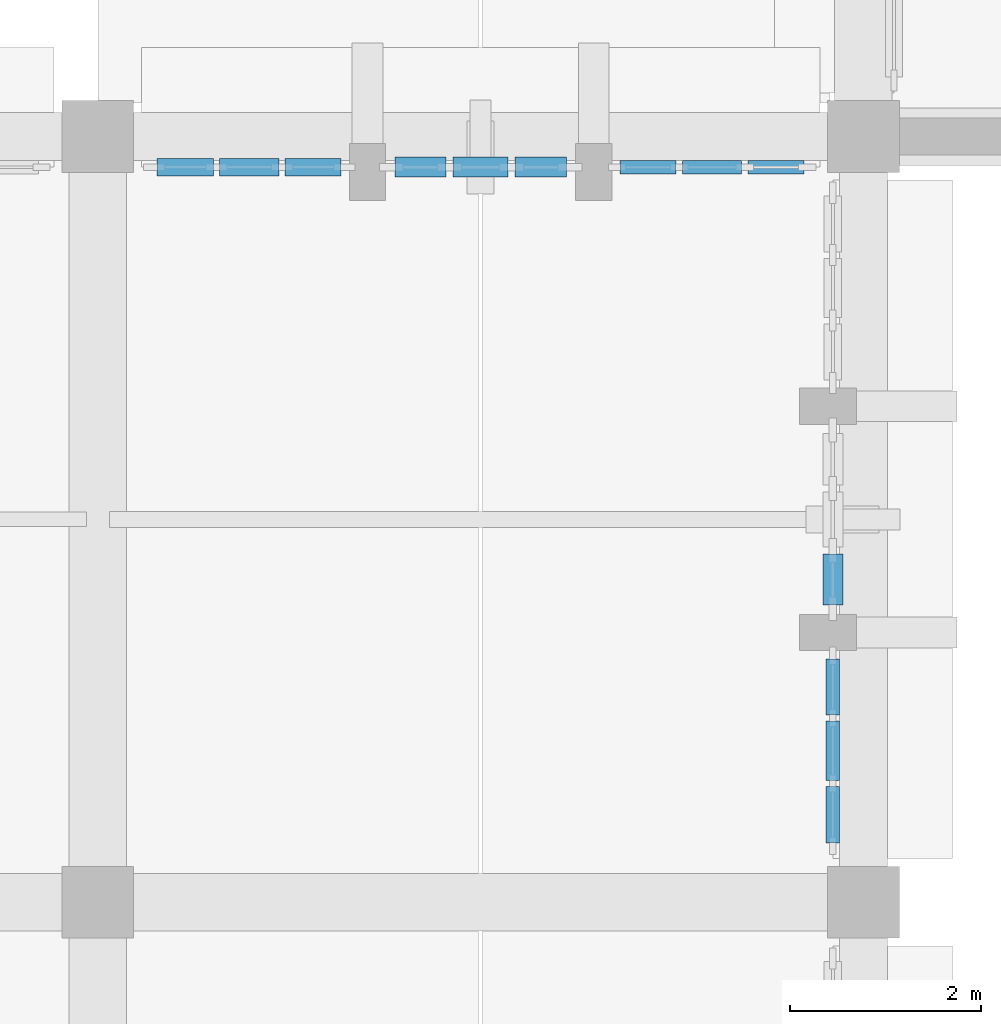
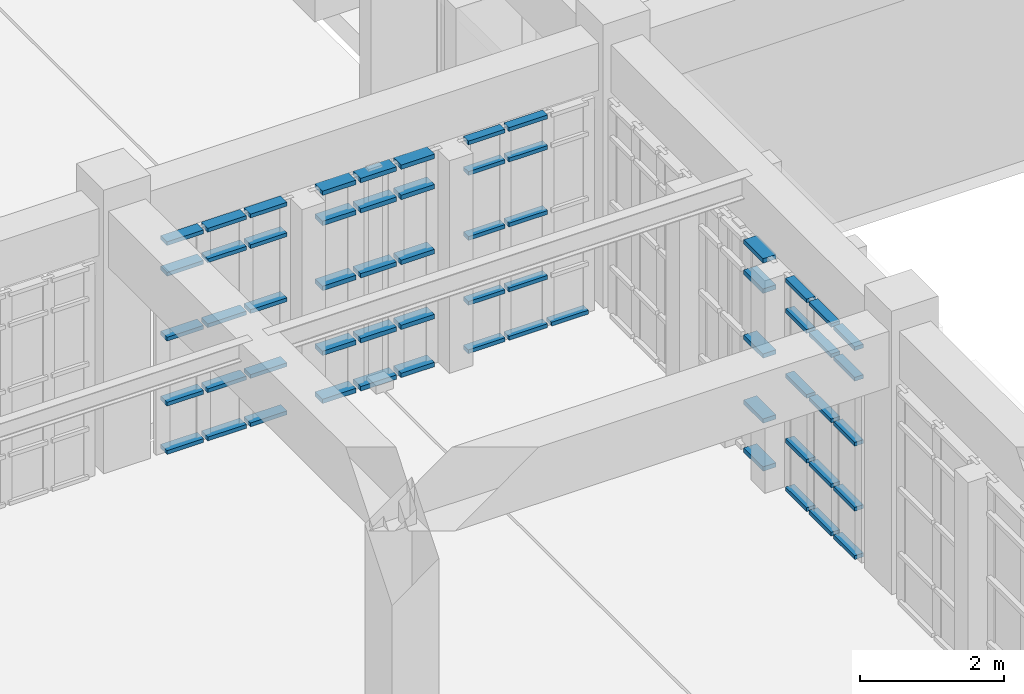
# One storey, part 66 of 155: 61 members, 5 elements without a shape of their own.
"""IFC4 building model written with IfcOpenShell, lengths in metres."""

from ifc_helpers import new_model, si_unit, direction, frame, origin, origin_2d, place, context, subcontext, project, spatial, rectangle, extrude, material, layer, layer_set, material_profile, profile_set, type_object, element, aggregate, save


model = new_model("IFC4")

# Units and contexts
model_context = context("Model", 3, precision=1e-05, world=origin(), true_north=direction((0.0, 1.0)))
body_context = subcontext(model_context, "Body", "Model", "MODEL_VIEW")
ifc_project = project(units=[si_unit("LENGTHUNIT", "METRE"), si_unit("AREAUNIT", "SQUARE_METRE"), si_unit("VOLUMEUNIT", "CUBIC_METRE"), si_unit("PLANEANGLEUNIT", "RADIAN"), si_unit("MASSUNIT", "GRAM", prefix="KILO")], contexts=[model_context])

# Site, building, storey
site_placement = place(None, origin())
site = spatial("IfcSite", under=ifc_project, at=site_placement, CompositionType="ELEMENT")
building_placement = place(site_placement, origin())
building = spatial("IfcBuilding", under=site, at=building_placement, Name="Tazarka Park Arena", CompositionType="ELEMENT")
storey_placement = place(building_placement, frame((0.0, 0.0, 5.39990234375)))
storey = spatial("IfcBuildingStorey", under=building, at=storey_placement, Name="L01", CompositionType="ELEMENT", Elevation=5.39990234375)

# Curtain wall, members
ifc_material_1 = material(Name="Aluminium and low-e glass", Category="aluminium")
ifc_layer_1 = layer(ifc_material_1, 0.179931640625, Name="Aluminium and low-e glass")
ifc_layer_set_1 = layer_set([ifc_layer_1], Name="Aluminium and low-e glass")
curtain_wall_type_1 = type_object("IfcCurtainWallType", Name="CW-03", PredefinedType="NOTDEFINED", material=ifc_layer_set_1)
curtain_wall_1_placement = place(storey_placement, origin())
curtain_wall_1 = element("IfcCurtainWall", 1, at=curtain_wall_1_placement, inside=storey, type_object=curtain_wall_type_1, Name="Curtain Wall CWA-L01-123", PredefinedType="NOTDEFINED")
ifc_material_2 = material(Name="Aluminium 6060-T66", Category="aluminium")
ifc_material_profile_1 = material_profile(ifc_material_2, rectangle(XDim=0.139892578125, YDim=0.06494140625, at=origin_2d()), Name="Aluminium 6060-T66")
ifc_profile_set_1 = profile_set([ifc_material_profile_1], Name="Aluminium 6060-T66")
member_type_1 = type_object("IfcMemberType", Name="CWT-01", PredefinedType="USERDEFINED", material=ifc_profile_set_1)
member_1_placement = place(storey_placement, frame((39.679931640625, 106.543212890625, 0.03271484375), z_axis=(0.0, -1.0, 0.0), x_axis=(1.0, 0.0, 0.0)))
member_1 = element("IfcMember", 2, at=member_1_placement, type_object=member_type_1, Name="CW-03 transom 1.1", ObjectType="TRANSOM", PredefinedType="USERDEFINED", context=body_context, shape_type="SweptSolid", body=[
    extrude(rectangle(XDim=0.139892578125, YDim=0.06494140625, at=origin_2d()), origin(), (0.0, 0.0, 1.0), 0.5869140625),
])
member_2_placement = place(storey_placement, frame((39.679931640625, 106.543212890625, 0.85009765625), z_axis=(0.0, -1.0, 0.0), x_axis=(1.0, 0.0, 0.0)))
member_2 = element("IfcMember", 3, at=member_2_placement, type_object=member_type_1, Name="CW-03 transom 1.2", ObjectType="TRANSOM", PredefinedType="USERDEFINED", context=body_context, shape_type="SweptSolid", body=[
    extrude(rectangle(XDim=0.139892578125, YDim=0.06494140625, at=origin_2d()), origin(), (0.0, 0.0, 1.0), 0.5869140625),
])
member_3_placement = place(storey_placement, frame((39.679931640625, 106.543212890625, 1.9501953125), z_axis=(0.0, -1.0, 0.0), x_axis=(1.0, 0.0, 0.0)))
member_3 = element("IfcMember", 4, at=member_3_placement, type_object=member_type_1, Name="CW-03 transom 1.3", ObjectType="TRANSOM", PredefinedType="USERDEFINED", context=body_context, shape_type="SweptSolid", body=[
    extrude(rectangle(XDim=0.139892578125, YDim=0.06494140625, at=origin_2d()), origin(), (0.0, 0.0, 1.0), 0.5869140625),
])
member_4_placement = place(storey_placement, frame((39.679931640625, 106.543212890625, 3.050048828125), z_axis=(0.0, -1.0, 0.0), x_axis=(1.0, 0.0, 0.0)))
member_4 = element("IfcMember", 5, at=member_4_placement, type_object=member_type_1, Name="CW-03 transom 1.4", ObjectType="TRANSOM", PredefinedType="USERDEFINED", context=body_context, shape_type="SweptSolid", body=[
    extrude(rectangle(XDim=0.139892578125, YDim=0.06494140625, at=origin_2d()), origin(), (0.0, 0.0, 1.0), 0.5869140625),
])
member_5_placement = place(storey_placement, frame((39.679931640625, 106.543212890625, 3.567626953125), z_axis=(0.0, -1.0, 0.0), x_axis=(1.0, 0.0, 0.0)))
member_5 = element("IfcMember", 6, at=member_5_placement, type_object=member_type_1, Name="CW-03 transom 1.5", ObjectType="TRANSOM", PredefinedType="USERDEFINED", context=body_context, shape_type="SweptSolid", body=[
    extrude(rectangle(XDim=0.139892578125, YDim=0.06494140625, at=origin_2d()), origin(), (0.0, 0.0, 1.0), 0.5869140625),
])
member_6_placement = place(storey_placement, frame((39.679931640625, 105.891357421875, 0.03271484375), z_axis=(0.0, -1.0, 0.0), x_axis=(1.0, 0.0, 0.0)))
member_6 = element("IfcMember", 7, at=member_6_placement, type_object=member_type_1, Name="CW-03 transom 2.1", ObjectType="TRANSOM", PredefinedType="USERDEFINED", context=body_context, shape_type="SweptSolid", body=[
    extrude(rectangle(XDim=0.139892578125, YDim=0.06494140625, at=origin_2d()), origin(), (0.0, 0.0, 1.0), 0.619384765625),
])
member_7_placement = place(storey_placement, frame((39.679931640625, 105.891357421875, 0.85009765625), z_axis=(0.0, -1.0, 0.0), x_axis=(1.0, 0.0, 0.0)))
member_7 = element("IfcMember", 8, at=member_7_placement, type_object=member_type_1, Name="CW-03 transom 2.2", ObjectType="TRANSOM", PredefinedType="USERDEFINED", context=body_context, shape_type="SweptSolid", body=[
    extrude(rectangle(XDim=0.139892578125, YDim=0.06494140625, at=origin_2d()), origin(), (0.0, 0.0, 1.0), 0.619384765625),
])
member_8_placement = place(storey_placement, frame((39.679931640625, 105.891357421875, 1.9501953125), z_axis=(0.0, -1.0, 0.0), x_axis=(1.0, 0.0, 0.0)))
member_8 = element("IfcMember", 9, at=member_8_placement, type_object=member_type_1, Name="CW-03 transom 2.3", ObjectType="TRANSOM", PredefinedType="USERDEFINED", context=body_context, shape_type="SweptSolid", body=[
    extrude(rectangle(XDim=0.139892578125, YDim=0.06494140625, at=origin_2d()), origin(), (0.0, 0.0, 1.0), 0.619384765625),
])
member_9_placement = place(storey_placement, frame((39.679931640625, 105.891357421875, 3.050048828125), z_axis=(0.0, -1.0, 0.0), x_axis=(1.0, 0.0, 0.0)))
member_9 = element("IfcMember", 10, at=member_9_placement, type_object=member_type_1, Name="CW-03 transom 2.4", ObjectType="TRANSOM", PredefinedType="USERDEFINED", context=body_context, shape_type="SweptSolid", body=[
    extrude(rectangle(XDim=0.139892578125, YDim=0.06494140625, at=origin_2d()), origin(), (0.0, 0.0, 1.0), 0.619384765625),
])
member_10_placement = place(storey_placement, frame((39.679931640625, 105.891357421875, 3.567626953125), z_axis=(0.0, -1.0, 0.0), x_axis=(1.0, 0.0, 0.0)))
member_10 = element("IfcMember", 11, at=member_10_placement, type_object=member_type_1, Name="CW-03 transom 2.5", ObjectType="TRANSOM", PredefinedType="USERDEFINED", context=body_context, shape_type="SweptSolid", body=[
    extrude(rectangle(XDim=0.139892578125, YDim=0.06494140625, at=origin_2d()), origin(), (0.0, 0.0, 1.0), 0.619384765625),
])
member_11_placement = place(storey_placement, frame((39.679931640625, 105.20703125, 0.03271484375), z_axis=(0.0, -1.0, 0.0), x_axis=(1.0, 0.0, 0.0)))
member_11 = element("IfcMember", 12, at=member_11_placement, type_object=member_type_1, Name="CW-03 transom 3.1", ObjectType="TRANSOM", PredefinedType="USERDEFINED", context=body_context, shape_type="SweptSolid", body=[
    extrude(rectangle(XDim=0.139892578125, YDim=0.06494140625, at=origin_2d()), origin(), (0.0, 0.0, 1.0), 0.5869140625),
])
member_12_placement = place(storey_placement, frame((39.679931640625, 105.20703125, 0.85009765625), z_axis=(0.0, -1.0, 0.0), x_axis=(1.0, 0.0, 0.0)))
member_12 = element("IfcMember", 13, at=member_12_placement, type_object=member_type_1, Name="CW-03 transom 3.2", ObjectType="TRANSOM", PredefinedType="USERDEFINED", context=body_context, shape_type="SweptSolid", body=[
    extrude(rectangle(XDim=0.139892578125, YDim=0.06494140625, at=origin_2d()), origin(), (0.0, 0.0, 1.0), 0.5869140625),
])
member_13_placement = place(storey_placement, frame((39.679931640625, 105.20703125, 1.9501953125), z_axis=(0.0, -1.0, 0.0), x_axis=(1.0, 0.0, 0.0)))
member_13 = element("IfcMember", 14, at=member_13_placement, type_object=member_type_1, Name="CW-03 transom 3.3", ObjectType="TRANSOM", PredefinedType="USERDEFINED", context=body_context, shape_type="SweptSolid", body=[
    extrude(rectangle(XDim=0.139892578125, YDim=0.06494140625, at=origin_2d()), origin(), (0.0, 0.0, 1.0), 0.5869140625),
])
member_14_placement = place(storey_placement, frame((39.679931640625, 105.20703125, 3.050048828125), z_axis=(0.0, -1.0, 0.0), x_axis=(1.0, 0.0, 0.0)))
member_14 = element("IfcMember", 15, at=member_14_placement, type_object=member_type_1, Name="CW-03 transom 3.4", ObjectType="TRANSOM", PredefinedType="USERDEFINED", context=body_context, shape_type="SweptSolid", body=[
    extrude(rectangle(XDim=0.139892578125, YDim=0.06494140625, at=origin_2d()), origin(), (0.0, 0.0, 1.0), 0.5869140625),
])
member_15_placement = place(storey_placement, frame((39.679931640625, 105.20703125, 3.567626953125), z_axis=(0.0, -1.0, 0.0), x_axis=(1.0, 0.0, 0.0)))
member_15 = element("IfcMember", 16, at=member_15_placement, type_object=member_type_1, Name="CW-03 transom 3.5", ObjectType="TRANSOM", PredefinedType="USERDEFINED", context=body_context, shape_type="SweptSolid", body=[
    extrude(rectangle(XDim=0.139892578125, YDim=0.06494140625, at=origin_2d()), origin(), (0.0, 0.0, 1.0), 0.5869140625),
])
aggregate(curtain_wall_1, [member_1, member_2, member_3, member_4, member_5, member_6, member_7, member_8, member_9, member_10, member_11, member_12, member_13, member_14, member_15])

ifc_material_3 = material(Name="Aluminium and low-e glass", Category="aluminium")
ifc_layer_2 = layer(ifc_material_3, 0.179931640625, Name="Aluminium and low-e glass")
ifc_layer_set_2 = layer_set([ifc_layer_2], Name="Aluminium and low-e glass")
curtain_wall_type_2 = type_object("IfcCurtainWallType", Name="CW-06", PredefinedType="NOTDEFINED", material=ifc_layer_set_2)
curtain_wall_2_placement = place(storey_placement, origin())
curtain_wall_2 = element("IfcCurtainWall", 17, at=curtain_wall_2_placement, inside=storey, type_object=curtain_wall_type_2, Name="Curtain Wall CWA-L01-126", PredefinedType="NOTDEFINED")
member_16_placement = place(storey_placement, frame((37.456787109375, 111.679931640625, 0.03271484375), z_axis=(1.0, 0.0, 0.0), x_axis=(0.0, 1.0, 0.0)))
member_16 = element("IfcMember", 18, at=member_16_placement, type_object=member_type_1, Name="CW-06 transom 1.1", ObjectType="TRANSOM", PredefinedType="USERDEFINED", context=body_context, shape_type="SweptSolid", body=[
    extrude(rectangle(XDim=0.139892578125, YDim=0.06494140625, at=origin_2d()), origin(), (0.0, 0.0, 1.0), 0.5869140625),
])
member_17_placement = place(storey_placement, frame((37.456787109375, 111.679931640625, 0.85009765625), z_axis=(1.0, 0.0, 0.0), x_axis=(0.0, 1.0, 0.0)))
member_17 = element("IfcMember", 19, at=member_17_placement, type_object=member_type_1, Name="CW-06 transom 1.2", ObjectType="TRANSOM", PredefinedType="USERDEFINED", context=body_context, shape_type="SweptSolid", body=[
    extrude(rectangle(XDim=0.139892578125, YDim=0.06494140625, at=origin_2d()), origin(), (0.0, 0.0, 1.0), 0.5869140625),
])
member_18_placement = place(storey_placement, frame((37.456787109375, 111.679931640625, 1.9501953125), z_axis=(1.0, 0.0, 0.0), x_axis=(0.0, 1.0, 0.0)))
member_18 = element("IfcMember", 20, at=member_18_placement, type_object=member_type_1, Name="CW-06 transom 1.3", ObjectType="TRANSOM", PredefinedType="USERDEFINED", context=body_context, shape_type="SweptSolid", body=[
    extrude(rectangle(XDim=0.139892578125, YDim=0.06494140625, at=origin_2d()), origin(), (0.0, 0.0, 1.0), 0.5869140625),
])
member_19_placement = place(storey_placement, frame((37.456787109375, 111.679931640625, 3.050048828125), z_axis=(1.0, 0.0, 0.0), x_axis=(0.0, 1.0, 0.0)))
member_19 = element("IfcMember", 21, at=member_19_placement, type_object=member_type_1, Name="CW-06 transom 1.4", ObjectType="TRANSOM", PredefinedType="USERDEFINED", context=body_context, shape_type="SweptSolid", body=[
    extrude(rectangle(XDim=0.139892578125, YDim=0.06494140625, at=origin_2d()), origin(), (0.0, 0.0, 1.0), 0.5869140625),
])
member_20_placement = place(storey_placement, frame((37.456787109375, 111.679931640625, 3.567626953125), z_axis=(1.0, 0.0, 0.0), x_axis=(0.0, 1.0, 0.0)))
member_20 = element("IfcMember", 22, at=member_20_placement, type_object=member_type_1, Name="CW-06 transom 1.5", ObjectType="TRANSOM", PredefinedType="USERDEFINED", context=body_context, shape_type="SweptSolid", body=[
    extrude(rectangle(XDim=0.139892578125, YDim=0.06494140625, at=origin_2d()), origin(), (0.0, 0.0, 1.0), 0.5869140625),
])
member_21_placement = place(storey_placement, frame((38.108642578125, 111.679931640625, 0.03271484375), z_axis=(1.0, 0.0, 0.0), x_axis=(0.0, 1.0, 0.0)))
member_21 = element("IfcMember", 23, at=member_21_placement, type_object=member_type_1, Name="CW-06 transom 2.1", ObjectType="TRANSOM", PredefinedType="USERDEFINED", context=body_context, shape_type="SweptSolid", body=[
    extrude(rectangle(XDim=0.139892578125, YDim=0.06494140625, at=origin_2d()), origin(), (0.0, 0.0, 1.0), 0.619384765625),
])
member_22_placement = place(storey_placement, frame((38.108642578125, 111.679931640625, 0.85009765625), z_axis=(1.0, 0.0, 0.0), x_axis=(0.0, 1.0, 0.0)))
member_22 = element("IfcMember", 24, at=member_22_placement, type_object=member_type_1, Name="CW-06 transom 2.2", ObjectType="TRANSOM", PredefinedType="USERDEFINED", context=body_context, shape_type="SweptSolid", body=[
    extrude(rectangle(XDim=0.139892578125, YDim=0.06494140625, at=origin_2d()), origin(), (0.0, 0.0, 1.0), 0.619384765625),
])
member_23_placement = place(storey_placement, frame((38.108642578125, 111.679931640625, 1.9501953125), z_axis=(1.0, 0.0, 0.0), x_axis=(0.0, 1.0, 0.0)))
member_23 = element("IfcMember", 25, at=member_23_placement, type_object=member_type_1, Name="CW-06 transom 2.3", ObjectType="TRANSOM", PredefinedType="USERDEFINED", context=body_context, shape_type="SweptSolid", body=[
    extrude(rectangle(XDim=0.139892578125, YDim=0.06494140625, at=origin_2d()), origin(), (0.0, 0.0, 1.0), 0.619384765625),
])
member_24_placement = place(storey_placement, frame((38.108642578125, 111.679931640625, 3.050048828125), z_axis=(1.0, 0.0, 0.0), x_axis=(0.0, 1.0, 0.0)))
member_24 = element("IfcMember", 26, at=member_24_placement, type_object=member_type_1, Name="CW-06 transom 2.4", ObjectType="TRANSOM", PredefinedType="USERDEFINED", context=body_context, shape_type="SweptSolid", body=[
    extrude(rectangle(XDim=0.139892578125, YDim=0.06494140625, at=origin_2d()), origin(), (0.0, 0.0, 1.0), 0.619384765625),
])
member_25_placement = place(storey_placement, frame((38.108642578125, 111.679931640625, 3.567626953125), z_axis=(1.0, 0.0, 0.0), x_axis=(0.0, 1.0, 0.0)))
member_25 = element("IfcMember", 27, at=member_25_placement, type_object=member_type_1, Name="CW-06 transom 2.5", ObjectType="TRANSOM", PredefinedType="USERDEFINED", context=body_context, shape_type="SweptSolid", body=[
    extrude(rectangle(XDim=0.139892578125, YDim=0.06494140625, at=origin_2d()), origin(), (0.0, 0.0, 1.0), 0.619384765625),
])
member_26_placement = place(storey_placement, frame((38.79296875, 111.679931640625, 0.03271484375), z_axis=(1.0, 0.0, 0.0), x_axis=(0.0, 1.0, 0.0)))
member_26 = element("IfcMember", 28, at=member_26_placement, type_object=member_type_1, Name="CW-06 transom 3.1", ObjectType="TRANSOM", PredefinedType="USERDEFINED", context=body_context, shape_type="SweptSolid", body=[
    extrude(rectangle(XDim=0.139892578125, YDim=0.06494140625, at=origin_2d()), origin(), (0.0, 0.0, 1.0), 0.5869140625),
])
aggregate(curtain_wall_2, [member_16, member_17, member_18, member_19, member_20, member_21, member_22, member_23, member_24, member_25, member_26])

ifc_material_4 = material(Name="Aluminium and low-e glass", Category="aluminium")
ifc_layer_3 = layer(ifc_material_4, 0.179931640625, Name="Aluminium and low-e glass")
ifc_layer_set_3 = layer_set([ifc_layer_3], Name="Aluminium and low-e glass")
curtain_wall_type_3 = type_object("IfcCurtainWallType", Name="CW-04", PredefinedType="NOTDEFINED", material=ifc_layer_set_3)
curtain_wall_3_placement = place(storey_placement, origin())
curtain_wall_3 = element("IfcCurtainWall", 29, at=curtain_wall_3_placement, inside=storey, type_object=curtain_wall_type_3, Name="Curtain Wall CWA-L01-124", PredefinedType="NOTDEFINED")
ifc_material_5 = material(Name="Aluminium 6060-T66", Category="aluminium")
ifc_material_profile_2 = material_profile(ifc_material_5, rectangle(XDim=0.179931640625, YDim=0.06494140625, at=origin_2d()), Name="Aluminium 6060-T66")
ifc_profile_set_2 = profile_set([ifc_material_profile_2], Name="Aluminium 6060-T66")
member_type_2 = type_object("IfcMemberType", Name="CWT-02", PredefinedType="USERDEFINED", material=ifc_profile_set_2)
member_27_placement = place(storey_placement, frame((32.6201171875, 111.679931640625, 0.03271484375), z_axis=(1.0, 0.0, 0.0), x_axis=(0.0, 1.0, 0.0)))
member_27 = element("IfcMember", 30, at=member_27_placement, type_object=member_type_2, Name="CW-04 transom 1.1", ObjectType="TRANSOM", PredefinedType="USERDEFINED", context=body_context, shape_type="SweptSolid", body=[
    extrude(rectangle(XDim=0.179931640625, YDim=0.06494140625, at=origin_2d()), origin(), (0.0, 0.0, 1.0), 0.5869140625),
])
member_28_placement = place(storey_placement, frame((32.6201171875, 111.679931640625, 0.85009765625), z_axis=(1.0, 0.0, 0.0), x_axis=(0.0, 1.0, 0.0)))
member_28 = element("IfcMember", 31, at=member_28_placement, type_object=member_type_2, Name="CW-04 transom 1.2", ObjectType="TRANSOM", PredefinedType="USERDEFINED", context=body_context, shape_type="SweptSolid", body=[
    extrude(rectangle(XDim=0.179931640625, YDim=0.06494140625, at=origin_2d()), origin(), (0.0, 0.0, 1.0), 0.5869140625),
])
member_29_placement = place(storey_placement, frame((32.6201171875, 111.679931640625, 1.9501953125), z_axis=(1.0, 0.0, 0.0), x_axis=(0.0, 1.0, 0.0)))
member_29 = element("IfcMember", 32, at=member_29_placement, type_object=member_type_2, Name="CW-04 transom 1.3", ObjectType="TRANSOM", PredefinedType="USERDEFINED", context=body_context, shape_type="SweptSolid", body=[
    extrude(rectangle(XDim=0.179931640625, YDim=0.06494140625, at=origin_2d()), origin(), (0.0, 0.0, 1.0), 0.5869140625),
])
member_30_placement = place(storey_placement, frame((32.6201171875, 111.679931640625, 3.050048828125), z_axis=(1.0, 0.0, 0.0), x_axis=(0.0, 1.0, 0.0)))
member_30 = element("IfcMember", 33, at=member_30_placement, type_object=member_type_2, Name="CW-04 transom 1.4", ObjectType="TRANSOM", PredefinedType="USERDEFINED", context=body_context, shape_type="SweptSolid", body=[
    extrude(rectangle(XDim=0.179931640625, YDim=0.06494140625, at=origin_2d()), origin(), (0.0, 0.0, 1.0), 0.5869140625),
])
member_31_placement = place(storey_placement, frame((32.6201171875, 111.679931640625, 3.567626953125), z_axis=(1.0, 0.0, 0.0), x_axis=(0.0, 1.0, 0.0)))
member_31 = element("IfcMember", 34, at=member_31_placement, type_object=member_type_2, Name="CW-04 transom 1.5", ObjectType="TRANSOM", PredefinedType="USERDEFINED", context=body_context, shape_type="SweptSolid", body=[
    extrude(rectangle(XDim=0.179931640625, YDim=0.06494140625, at=origin_2d()), origin(), (0.0, 0.0, 1.0), 0.5869140625),
])
member_32_placement = place(storey_placement, frame((33.27197265625, 111.679931640625, 0.03271484375), z_axis=(1.0, 0.0, 0.0), x_axis=(0.0, 1.0, 0.0)))
member_32 = element("IfcMember", 35, at=member_32_placement, type_object=member_type_2, Name="CW-04 transom 2.1", ObjectType="TRANSOM", PredefinedType="USERDEFINED", context=body_context, shape_type="SweptSolid", body=[
    extrude(rectangle(XDim=0.179931640625, YDim=0.06494140625, at=origin_2d()), origin(), (0.0, 0.0, 1.0), 0.619384765625),
])
member_33_placement = place(storey_placement, frame((33.27197265625, 111.679931640625, 0.85009765625), z_axis=(1.0, 0.0, 0.0), x_axis=(0.0, 1.0, 0.0)))
member_33 = element("IfcMember", 36, at=member_33_placement, type_object=member_type_2, Name="CW-04 transom 2.2", ObjectType="TRANSOM", PredefinedType="USERDEFINED", context=body_context, shape_type="SweptSolid", body=[
    extrude(rectangle(XDim=0.179931640625, YDim=0.06494140625, at=origin_2d()), origin(), (0.0, 0.0, 1.0), 0.619384765625),
])
member_34_placement = place(storey_placement, frame((33.27197265625, 111.679931640625, 1.9501953125), z_axis=(1.0, 0.0, 0.0), x_axis=(0.0, 1.0, 0.0)))
member_34 = element("IfcMember", 37, at=member_34_placement, type_object=member_type_2, Name="CW-04 transom 2.3", ObjectType="TRANSOM", PredefinedType="USERDEFINED", context=body_context, shape_type="SweptSolid", body=[
    extrude(rectangle(XDim=0.179931640625, YDim=0.06494140625, at=origin_2d()), origin(), (0.0, 0.0, 1.0), 0.619384765625),
])
member_35_placement = place(storey_placement, frame((33.27197265625, 111.679931640625, 3.050048828125), z_axis=(1.0, 0.0, 0.0), x_axis=(0.0, 1.0, 0.0)))
member_35 = element("IfcMember", 38, at=member_35_placement, type_object=member_type_2, Name="CW-04 transom 2.4", ObjectType="TRANSOM", PredefinedType="USERDEFINED", context=body_context, shape_type="SweptSolid", body=[
    extrude(rectangle(XDim=0.179931640625, YDim=0.06494140625, at=origin_2d()), origin(), (0.0, 0.0, 1.0), 0.619384765625),
])
member_36_placement = place(storey_placement, frame((33.27197265625, 111.679931640625, 3.567626953125), z_axis=(1.0, 0.0, 0.0), x_axis=(0.0, 1.0, 0.0)))
member_36 = element("IfcMember", 39, at=member_36_placement, type_object=member_type_2, Name="CW-04 transom 2.5", ObjectType="TRANSOM", PredefinedType="USERDEFINED", context=body_context, shape_type="SweptSolid", body=[
    extrude(rectangle(XDim=0.179931640625, YDim=0.06494140625, at=origin_2d()), origin(), (0.0, 0.0, 1.0), 0.619384765625),
])
member_37_placement = place(storey_placement, frame((33.956298828125, 111.679931640625, 0.03271484375), z_axis=(1.0, 0.0, 0.0), x_axis=(0.0, 1.0, 0.0)))
member_37 = element("IfcMember", 40, at=member_37_placement, type_object=member_type_2, Name="CW-04 transom 3.1", ObjectType="TRANSOM", PredefinedType="USERDEFINED", context=body_context, shape_type="SweptSolid", body=[
    extrude(rectangle(XDim=0.179931640625, YDim=0.06494140625, at=origin_2d()), origin(), (0.0, 0.0, 1.0), 0.5869140625),
])
member_38_placement = place(storey_placement, frame((33.956298828125, 111.679931640625, 0.85009765625), z_axis=(1.0, 0.0, 0.0), x_axis=(0.0, 1.0, 0.0)))
member_38 = element("IfcMember", 41, at=member_38_placement, type_object=member_type_2, Name="CW-04 transom 3.2", ObjectType="TRANSOM", PredefinedType="USERDEFINED", context=body_context, shape_type="SweptSolid", body=[
    extrude(rectangle(XDim=0.179931640625, YDim=0.06494140625, at=origin_2d()), origin(), (0.0, 0.0, 1.0), 0.5869140625),
])
member_39_placement = place(storey_placement, frame((33.956298828125, 111.679931640625, 1.9501953125), z_axis=(1.0, 0.0, 0.0), x_axis=(0.0, 1.0, 0.0)))
member_39 = element("IfcMember", 42, at=member_39_placement, type_object=member_type_2, Name="CW-04 transom 3.3", ObjectType="TRANSOM", PredefinedType="USERDEFINED", context=body_context, shape_type="SweptSolid", body=[
    extrude(rectangle(XDim=0.179931640625, YDim=0.06494140625, at=origin_2d()), origin(), (0.0, 0.0, 1.0), 0.5869140625),
])
member_40_placement = place(storey_placement, frame((33.956298828125, 111.679931640625, 3.050048828125), z_axis=(1.0, 0.0, 0.0), x_axis=(0.0, 1.0, 0.0)))
member_40 = element("IfcMember", 43, at=member_40_placement, type_object=member_type_2, Name="CW-04 transom 3.4", ObjectType="TRANSOM", PredefinedType="USERDEFINED", context=body_context, shape_type="SweptSolid", body=[
    extrude(rectangle(XDim=0.179931640625, YDim=0.06494140625, at=origin_2d()), origin(), (0.0, 0.0, 1.0), 0.5869140625),
])
member_41_placement = place(storey_placement, frame((33.956298828125, 111.679931640625, 3.567626953125), z_axis=(1.0, 0.0, 0.0), x_axis=(0.0, 1.0, 0.0)))
member_41 = element("IfcMember", 44, at=member_41_placement, type_object=member_type_2, Name="CW-04 transom 3.5", ObjectType="TRANSOM", PredefinedType="USERDEFINED", context=body_context, shape_type="SweptSolid", body=[
    extrude(rectangle(XDim=0.179931640625, YDim=0.06494140625, at=origin_2d()), origin(), (0.0, 0.0, 1.0), 0.5869140625),
])
aggregate(curtain_wall_3, [member_27, member_28, member_29, member_30, member_31, member_32, member_33, member_34, member_35, member_36, member_37, member_38, member_39, member_40, member_41])

ifc_material_6 = material(Name="Aluminium and low-e glass", Category="aluminium")
ifc_layer_4 = layer(ifc_material_6, 0.179931640625, Name="Aluminium and low-e glass")
ifc_layer_set_4 = layer_set([ifc_layer_4], Name="Aluminium and low-e glass")
curtain_wall_type_4 = type_object("IfcCurtainWallType", Name="CW-02", PredefinedType="NOTDEFINED", material=ifc_layer_set_4)
curtain_wall_4_placement = place(storey_placement, origin())
curtain_wall_4 = element("IfcCurtainWall", 45, at=curtain_wall_4_placement, inside=storey, type_object=curtain_wall_type_4, Name="Curtain Wall CWA-L01-122", PredefinedType="NOTDEFINED")
ifc_material_7 = material(Name="Aluminium 6060-T66", Category="aluminium")
ifc_material_profile_3 = material_profile(ifc_material_7, rectangle(XDim=0.2099609375, YDim=0.074951171875, at=origin_2d()), Name="Aluminium 6060-T66")
ifc_profile_set_3 = profile_set([ifc_material_profile_3], Name="Aluminium 6060-T66")
member_type_3 = type_object("IfcMemberType", Name="CWT-03", PredefinedType="USERDEFINED", material=ifc_profile_set_3)
member_42_placement = place(storey_placement, frame((39.679931640625, 107.638671875, 0.03759765625), z_axis=(0.0, -1.0, 0.0), x_axis=(1.0, 0.0, 0.0)))
member_42 = element("IfcMember", 46, at=member_42_placement, type_object=member_type_3, Name="CW-02 transom 3.1", ObjectType="TRANSOM", PredefinedType="USERDEFINED", context=body_context, shape_type="SweptSolid", body=[
    extrude(rectangle(XDim=0.2099609375, YDim=0.074951171875, at=origin_2d()), origin(), (0.0, 0.0, 1.0), 0.535400390625),
])
member_43_placement = place(storey_placement, frame((39.679931640625, 107.638671875, 0.85009765625), z_axis=(0.0, -1.0, 0.0), x_axis=(1.0, 0.0, 0.0)))
member_43 = element("IfcMember", 47, at=member_43_placement, type_object=member_type_3, Name="CW-02 transom 3.2", ObjectType="TRANSOM", PredefinedType="USERDEFINED", context=body_context, shape_type="SweptSolid", body=[
    extrude(rectangle(XDim=0.2099609375, YDim=0.074951171875, at=origin_2d()), origin(), (0.0, 0.0, 1.0), 0.535400390625),
])
member_44_placement = place(storey_placement, frame((39.679931640625, 107.638671875, 1.9501953125), z_axis=(0.0, -1.0, 0.0), x_axis=(1.0, 0.0, 0.0)))
member_44 = element("IfcMember", 48, at=member_44_placement, type_object=member_type_3, Name="CW-02 transom 3.3", ObjectType="TRANSOM", PredefinedType="USERDEFINED", context=body_context, shape_type="SweptSolid", body=[
    extrude(rectangle(XDim=0.2099609375, YDim=0.074951171875, at=origin_2d()), origin(), (0.0, 0.0, 1.0), 0.535400390625),
])
member_45_placement = place(storey_placement, frame((39.679931640625, 107.638671875, 3.050048828125), z_axis=(0.0, -1.0, 0.0), x_axis=(1.0, 0.0, 0.0)))
member_45 = element("IfcMember", 49, at=member_45_placement, type_object=member_type_3, Name="CW-02 transom 3.4", ObjectType="TRANSOM", PredefinedType="USERDEFINED", context=body_context, shape_type="SweptSolid", body=[
    extrude(rectangle(XDim=0.2099609375, YDim=0.074951171875, at=origin_2d()), origin(), (0.0, 0.0, 1.0), 0.535400390625),
])
member_46_placement = place(storey_placement, frame((39.679931640625, 107.638671875, 3.5625), z_axis=(0.0, -1.0, 0.0), x_axis=(1.0, 0.0, 0.0)))
member_46 = element("IfcMember", 50, at=member_46_placement, type_object=member_type_3, Name="CW-02 transom 3.5", ObjectType="TRANSOM", PredefinedType="USERDEFINED", context=body_context, shape_type="SweptSolid", body=[
    extrude(rectangle(XDim=0.2099609375, YDim=0.074951171875, at=origin_2d()), origin(), (0.0, 0.0, 1.0), 0.535400390625),
])
aggregate(curtain_wall_4, [member_42, member_43, member_44, member_45, member_46])

ifc_material_8 = material(Name="Aluminium and low-e glass", Category="aluminium")
ifc_layer_5 = layer(ifc_material_8, 0.179931640625, Name="Aluminium and low-e glass")
ifc_layer_set_5 = layer_set([ifc_layer_5], Name="Aluminium and low-e glass")
curtain_wall_type_5 = type_object("IfcCurtainWallType", Name="CW-05", PredefinedType="NOTDEFINED", material=ifc_layer_set_5)
curtain_wall_5_placement = place(storey_placement, origin())
curtain_wall_5 = element("IfcCurtainWall", 51, at=curtain_wall_5_placement, inside=storey, type_object=curtain_wall_type_5, Name="Curtain Wall CWA-L01-125", PredefinedType="NOTDEFINED")
member_47_placement = place(storey_placement, frame((35.103271484375, 111.679931640625, 0.03759765625), z_axis=(1.0, 0.0, 0.0), x_axis=(0.0, 1.0, 0.0)))
member_47 = element("IfcMember", 52, at=member_47_placement, type_object=member_type_3, Name="CW-05 transom 1.1", ObjectType="TRANSOM", PredefinedType="USERDEFINED", context=body_context, shape_type="SweptSolid", body=[
    extrude(rectangle(XDim=0.2099609375, YDim=0.074951171875, at=origin_2d()), origin(), (0.0, 0.0, 1.0), 0.535400390625),
])
member_48_placement = place(storey_placement, frame((35.103271484375, 111.679931640625, 0.85009765625), z_axis=(1.0, 0.0, 0.0), x_axis=(0.0, 1.0, 0.0)))
member_48 = element("IfcMember", 53, at=member_48_placement, type_object=member_type_3, Name="CW-05 transom 1.2", ObjectType="TRANSOM", PredefinedType="USERDEFINED", context=body_context, shape_type="SweptSolid", body=[
    extrude(rectangle(XDim=0.2099609375, YDim=0.074951171875, at=origin_2d()), origin(), (0.0, 0.0, 1.0), 0.535400390625),
])
member_49_placement = place(storey_placement, frame((35.103271484375, 111.679931640625, 1.9501953125), z_axis=(1.0, 0.0, 0.0), x_axis=(0.0, 1.0, 0.0)))
member_49 = element("IfcMember", 54, at=member_49_placement, type_object=member_type_3, Name="CW-05 transom 1.3", ObjectType="TRANSOM", PredefinedType="USERDEFINED", context=body_context, shape_type="SweptSolid", body=[
    extrude(rectangle(XDim=0.2099609375, YDim=0.074951171875, at=origin_2d()), origin(), (0.0, 0.0, 1.0), 0.535400390625),
])
member_50_placement = place(storey_placement, frame((35.103271484375, 111.679931640625, 3.050048828125), z_axis=(1.0, 0.0, 0.0), x_axis=(0.0, 1.0, 0.0)))
member_50 = element("IfcMember", 55, at=member_50_placement, type_object=member_type_3, Name="CW-05 transom 1.4", ObjectType="TRANSOM", PredefinedType="USERDEFINED", context=body_context, shape_type="SweptSolid", body=[
    extrude(rectangle(XDim=0.2099609375, YDim=0.074951171875, at=origin_2d()), origin(), (0.0, 0.0, 1.0), 0.535400390625),
])
member_51_placement = place(storey_placement, frame((35.103271484375, 111.679931640625, 3.5625), z_axis=(1.0, 0.0, 0.0), x_axis=(0.0, 1.0, 0.0)))
member_51 = element("IfcMember", 56, at=member_51_placement, type_object=member_type_3, Name="CW-05 transom 1.5", ObjectType="TRANSOM", PredefinedType="USERDEFINED", context=body_context, shape_type="SweptSolid", body=[
    extrude(rectangle(XDim=0.2099609375, YDim=0.074951171875, at=origin_2d()), origin(), (0.0, 0.0, 1.0), 0.535400390625),
])
member_52_placement = place(storey_placement, frame((35.713623046875, 111.679931640625, 0.03759765625), z_axis=(1.0, 0.0, 0.0), x_axis=(0.0, 1.0, 0.0)))
member_52 = element("IfcMember", 57, at=member_52_placement, type_object=member_type_3, Name="CW-05 transom 2.1", ObjectType="TRANSOM", PredefinedType="USERDEFINED", context=body_context, shape_type="SweptSolid", body=[
    extrude(rectangle(XDim=0.2099609375, YDim=0.074951171875, at=origin_2d()), origin(), (0.0, 0.0, 1.0), 0.57275390625),
])
member_53_placement = place(storey_placement, frame((35.713623046875, 111.679931640625, 0.85009765625), z_axis=(1.0, 0.0, 0.0), x_axis=(0.0, 1.0, 0.0)))
member_53 = element("IfcMember", 58, at=member_53_placement, type_object=member_type_3, Name="CW-05 transom 2.2", ObjectType="TRANSOM", PredefinedType="USERDEFINED", context=body_context, shape_type="SweptSolid", body=[
    extrude(rectangle(XDim=0.2099609375, YDim=0.074951171875, at=origin_2d()), origin(), (0.0, 0.0, 1.0), 0.57275390625),
])
member_54_placement = place(storey_placement, frame((35.713623046875, 111.679931640625, 1.9501953125), z_axis=(1.0, 0.0, 0.0), x_axis=(0.0, 1.0, 0.0)))
member_54 = element("IfcMember", 59, at=member_54_placement, type_object=member_type_3, Name="CW-05 transom 2.3", ObjectType="TRANSOM", PredefinedType="USERDEFINED", context=body_context, shape_type="SweptSolid", body=[
    extrude(rectangle(XDim=0.2099609375, YDim=0.074951171875, at=origin_2d()), origin(), (0.0, 0.0, 1.0), 0.57275390625),
])
member_55_placement = place(storey_placement, frame((35.713623046875, 111.679931640625, 3.050048828125), z_axis=(1.0, 0.0, 0.0), x_axis=(0.0, 1.0, 0.0)))
member_55 = element("IfcMember", 60, at=member_55_placement, type_object=member_type_3, Name="CW-05 transom 2.4", ObjectType="TRANSOM", PredefinedType="USERDEFINED", context=body_context, shape_type="SweptSolid", body=[
    extrude(rectangle(XDim=0.2099609375, YDim=0.074951171875, at=origin_2d()), origin(), (0.0, 0.0, 1.0), 0.57275390625),
])
member_56_placement = place(storey_placement, frame((35.713623046875, 111.679931640625, 3.5625), z_axis=(1.0, 0.0, 0.0), x_axis=(0.0, 1.0, 0.0)))
member_56 = element("IfcMember", 61, at=member_56_placement, type_object=member_type_3, Name="CW-05 transom 2.5", ObjectType="TRANSOM", PredefinedType="USERDEFINED", context=body_context, shape_type="SweptSolid", body=[
    extrude(rectangle(XDim=0.2099609375, YDim=0.074951171875, at=origin_2d()), origin(), (0.0, 0.0, 1.0), 0.57275390625),
])
member_57_placement = place(storey_placement, frame((36.361328125, 111.679931640625, 0.03759765625), z_axis=(1.0, 0.0, 0.0), x_axis=(0.0, 1.0, 0.0)))
member_57 = element("IfcMember", 62, at=member_57_placement, type_object=member_type_3, Name="CW-05 transom 3.1", ObjectType="TRANSOM", PredefinedType="USERDEFINED", context=body_context, shape_type="SweptSolid", body=[
    extrude(rectangle(XDim=0.2099609375, YDim=0.074951171875, at=origin_2d()), origin(), (0.0, 0.0, 1.0), 0.535400390625),
])
member_58_placement = place(storey_placement, frame((36.361328125, 111.679931640625, 0.85009765625), z_axis=(1.0, 0.0, 0.0), x_axis=(0.0, 1.0, 0.0)))
member_58 = element("IfcMember", 63, at=member_58_placement, type_object=member_type_3, Name="CW-05 transom 3.2", ObjectType="TRANSOM", PredefinedType="USERDEFINED", context=body_context, shape_type="SweptSolid", body=[
    extrude(rectangle(XDim=0.2099609375, YDim=0.074951171875, at=origin_2d()), origin(), (0.0, 0.0, 1.0), 0.535400390625),
])
member_59_placement = place(storey_placement, frame((36.361328125, 111.679931640625, 1.9501953125), z_axis=(1.0, 0.0, 0.0), x_axis=(0.0, 1.0, 0.0)))
member_59 = element("IfcMember", 64, at=member_59_placement, type_object=member_type_3, Name="CW-05 transom 3.3", ObjectType="TRANSOM", PredefinedType="USERDEFINED", context=body_context, shape_type="SweptSolid", body=[
    extrude(rectangle(XDim=0.2099609375, YDim=0.074951171875, at=origin_2d()), origin(), (0.0, 0.0, 1.0), 0.535400390625),
])
member_60_placement = place(storey_placement, frame((36.361328125, 111.679931640625, 3.050048828125), z_axis=(1.0, 0.0, 0.0), x_axis=(0.0, 1.0, 0.0)))
member_60 = element("IfcMember", 65, at=member_60_placement, type_object=member_type_3, Name="CW-05 transom 3.4", ObjectType="TRANSOM", PredefinedType="USERDEFINED", context=body_context, shape_type="SweptSolid", body=[
    extrude(rectangle(XDim=0.2099609375, YDim=0.074951171875, at=origin_2d()), origin(), (0.0, 0.0, 1.0), 0.535400390625),
])
member_61_placement = place(storey_placement, frame((36.361328125, 111.679931640625, 3.5625), z_axis=(1.0, 0.0, 0.0), x_axis=(0.0, 1.0, 0.0)))
member_61 = element("IfcMember", 66, at=member_61_placement, type_object=member_type_3, Name="CW-05 transom 3.5", ObjectType="TRANSOM", PredefinedType="USERDEFINED", context=body_context, shape_type="SweptSolid", body=[
    extrude(rectangle(XDim=0.2099609375, YDim=0.074951171875, at=origin_2d()), origin(), (0.0, 0.0, 1.0), 0.535400390625),
])
aggregate(curtain_wall_5, [member_47, member_48, member_49, member_50, member_51, member_52, member_53, member_54, member_55, member_56, member_57, member_58, member_59, member_60, member_61])

save(model, "model.ifc")
